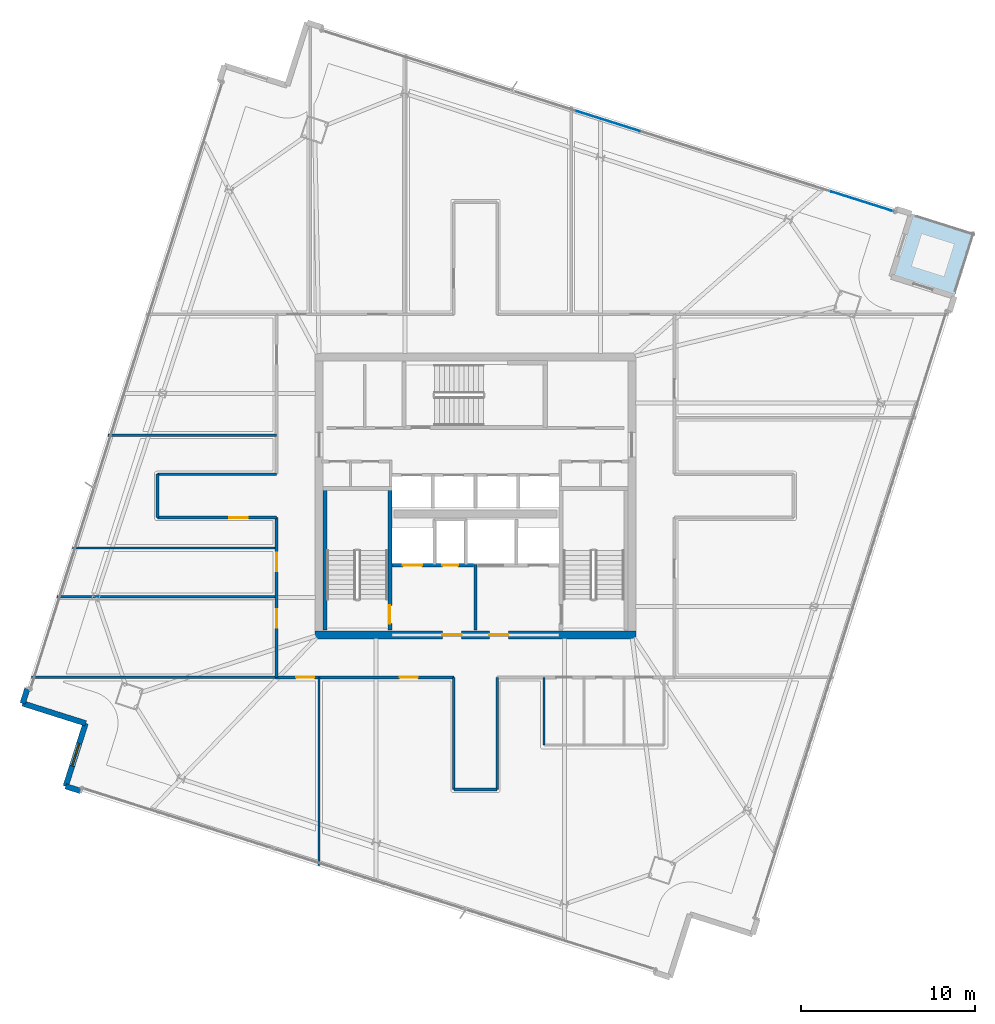
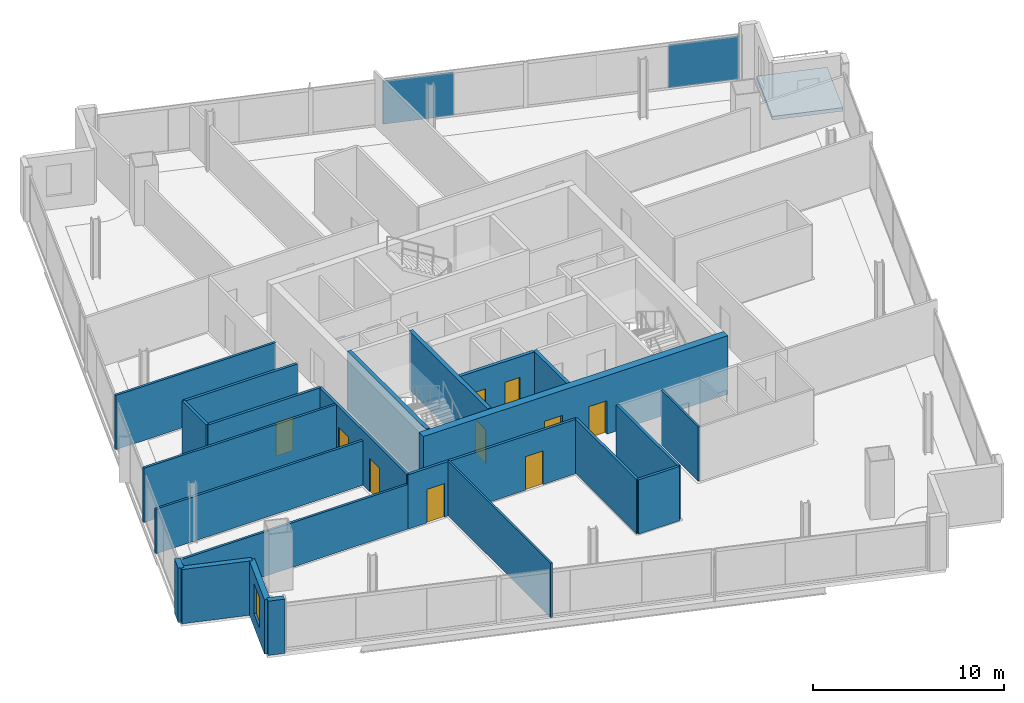
# One storey, part 18 of 26: 23 walls, 10 doors, 2 plates, 1 slab, 1 window, 11 openings, 1 element without a shape of its own.
"""IFC4 building model written with IfcOpenShell, lengths in metres."""

from ifc_helpers import new_model, si_unit, direction, frame, frame_2d, origin, origin_2d, place, context, subcontext, project, spatial, polyline, rectangle, outline, extrude, source, transform, mapped, material, layer, layer_set, type_object, element, fill, aggregate, save


model = new_model("IFC4")

# Units and contexts
model_context = context("Model", 3, precision=1e-05, world=origin(), true_north=direction((0.0, 1.0)))
body_context = subcontext(model_context, "Body", "Model", "MODEL_VIEW")
ifc_project = project(units=[si_unit("LENGTHUNIT", "METRE"), si_unit("AREAUNIT", "SQUARE_METRE"), si_unit("VOLUMEUNIT", "CUBIC_METRE"), si_unit("PLANEANGLEUNIT", "RADIAN"), si_unit("MASSUNIT", "GRAM", prefix="KILO")], contexts=[model_context])

# Site, building, storey
site_placement = place(None, origin())
site = spatial("IfcSite", under=ifc_project, at=site_placement, CompositionType="ELEMENT")
building_placement = place(site_placement, origin())
building = spatial("IfcBuilding", under=site, at=building_placement, Name="Haldenkirk Collegiate Tower", CompositionType="ELEMENT")
storey_placement = place(building_placement, frame((0.0, 0.0, 271.199951171875)))
storey = spatial("IfcBuildingStorey", under=building, at=storey_placement, Name="L68", CompositionType="ELEMENT", Elevation=271.199951171875)

# Slab
ifc_material_1 = material(Name="Concrete f'c 40 MPa", Category="concrete")
ifc_layer_1 = layer(ifc_material_1, 0.22998046875)
ifc_layer_set_1 = layer_set([ifc_layer_1], Name="Concrete f'c 40 MPa")
slab_type = type_object("IfcSlabType", Name="SLB-TERR-SPIRAL-230", PredefinedType="FLOOR", material=ifc_layer_set_1)
slab_placement = place(storey_placement, frame((0.0, 0.0, -0.22998046875)))
element("IfcSlab", 1, at=slab_placement, inside=storey, type_object=slab_type, Name="L68 spiralling corner terrace slab", PredefinedType="FLOOR", context=body_context, shape_type="SweptSolid", body=[
    extrude(outline(polyline([(63.567138671875, 37.471435546875), (64.712890625, 41.094482421875), (61.08984375, 42.240478515625), (59.944091796875, 38.6171875), (63.567138671875, 37.471435546875)])), origin(), (0.0, 0.0, 1.0), 0.22998046875),
])

# Curtain wall, plates
ifc_material_2 = material(Name="Anodised architectural bronze aluminium", Category="aluminium")
curtain_wall_type = type_object("IfcCurtainWallType", Name="CW-SYS1B-CONVEX-HI", PredefinedType="USERDEFINED", material=ifc_material_2)
curtain_wall_placement = place(storey_placement, origin())
curtain_wall = element("IfcCurtainWall", 2, at=curtain_wall_placement, inside=storey, type_object=curtain_wall_type, Name="L68 Upper tower high-wind convex bronze unitised curtain wall", ObjectType="UNITISED CURTAIN WALL", PredefinedType="USERDEFINED")
ifc_material_3 = material(Name="Low-E argon triple insulating glass", Category="glass")
ifc_layer_2 = layer(ifc_material_3, 0.048095703125)
ifc_layer_set_2 = layer_set([ifc_layer_2], Name="Low-E argon triple insulating glass")
plate_type = type_object("IfcPlateType", Name="CW-PNL-1B", PredefinedType="CURTAIN_PANEL", material=ifc_layer_set_2)
shared_shape_1 = source(origin(), body_context, "Body", "SweptSolid", [
    extrude(rectangle(XDim=3.7978515625, YDim=0.048095703125, at=origin_2d()), origin(), (0.0, 0.0, 1.0), 2.76806640625),
])
plate_1_placement = place(storey_placement, frame((58.285888671875, 42.9384765625, 0.0849609375), z_axis=(0.0, 0.0, 1.0), x_axis=(0.95345434936, -0.301537400144, 0.0)))
plate_1 = element("IfcPlate", 3, at=plate_1_placement, type_object=plate_type, Name="CW-1B panel 3.1c", PredefinedType="CURTAIN_PANEL", context=body_context, shape_type="MappedRepresentation", body=[
    mapped(shared_shape_1, transform((0.0, 0.0, 0.0), x_axis=(1.0, 0.0, 0.0), y_axis=(0.0, 1.0, 0.0), z_axis=(0.0, 0.0, 1.0), scale=1.0)),
])
shared_shape_2 = source(origin(), body_context, "Body", "SweptSolid", [
    extrude(rectangle(XDim=3.79931640625, YDim=0.048095703125, at=origin_2d()), origin(), (0.0, 0.0, 1.0), 2.76806640625),
])
plate_2_placement = place(storey_placement, frame((43.64697265625, 47.568115234375, 0.0849609375), z_axis=(0.0, 0.0, 1.0), x_axis=(0.95345434936, -0.301537400144, 0.0)))
plate_2 = element("IfcPlate", 4, at=plate_2_placement, type_object=plate_type, Name="CW-1B panel 2.1b", PredefinedType="CURTAIN_PANEL", context=body_context, shape_type="MappedRepresentation", body=[
    mapped(shared_shape_2, transform((0.0, 0.0, 0.0), x_axis=(1.0, 0.0, 0.0), y_axis=(0.0, 1.0, 0.0), z_axis=(0.0, 0.0, 1.0), scale=1.0)),
])
aggregate(curtain_wall, [plate_2, plate_1])

# Wall, openings, doors
ifc_material_4 = material(Name="Concrete f'c 55 MPa", Category="concrete")
ifc_layer_3 = layer(ifc_material_4, 0.449951171875)
ifc_layer_set_3 = layer_set([ifc_layer_3], Name="Concrete f'c 55 MPa")
wall_type_1 = type_object("IfcWallType", Name="WL-CORE-450", PredefinedType="SHEAR", material=ifc_layer_set_3)
wall_1_placement = place(storey_placement, frame((26.77490234375, 18.0, 0.0), z_axis=(0.0, 0.0, 1.0), x_axis=(1.0, 0.0, 0.0)))
wall_1 = element("IfcWall", 5, at=wall_1_placement, inside=storey, type_object=wall_type_1, Name="L68 central core shear wall S", PredefinedType="SHEAR", context=body_context, shape_type="SweptSolid", body=[
    extrude(rectangle(XDim=18.4501953125, YDim=0.449951171875, at=frame_2d((9.22509765625, 0.0))), origin(), (0.0, 0.0, 1.0), 3.75),
])
opening_1_placement = place(wall_1_placement, frame((7.324951171875, 0.0, 0.0)))
opening_1 = element("IfcOpeningElement", 6, at=opening_1_placement, cuts=wall_1, Name="Opening D-02", PredefinedType="OPENING", context=body_context, shape_type="SweptSolid", body=[
    extrude(rectangle(XDim=1.10009765625, YDim=2.14990234375, at=frame_2d((0.550048828125, 1.074951171875))), frame((0.0, 0.23486328125, 0.0), z_axis=(0.0, -1.0, 0.0), x_axis=(1.0, 0.0, 0.0)), (0.0, 0.0, 1.0), 0.469970703125),
])
opening_2_placement = place(wall_1_placement, frame((10.02490234375, 0.0, 0.0)))
opening_2 = element("IfcOpeningElement", 7, at=opening_2_placement, cuts=wall_1, Name="Opening D-02", PredefinedType="OPENING", context=body_context, shape_type="SweptSolid", body=[
    extrude(rectangle(XDim=1.10009765625, YDim=2.14990234375, at=frame_2d((0.550048828125, 1.074951171875))), frame((0.0, 0.23486328125, 0.0), z_axis=(0.0, -1.0, 0.0), x_axis=(1.0, 0.0, 0.0)), (0.0, 0.0, 1.0), 0.469970703125),
])
ifc_material_5 = material(Name="Galvanized fire-rated hollow steel door", Category="steel")
ifc_layer_4 = layer(ifc_material_5, 0.06005859375)
ifc_layer_set_4 = layer_set([ifc_layer_4], Name="Galvanized fire-rated hollow steel door")
door_type_1 = type_object("IfcDoorType", Name="DR-STAIR-FD90-1100", OperationType="NOTDEFINED", PredefinedType="DOOR", material=ifc_layer_set_4)
door_1_placement = place(opening_1_placement, origin())
door_1 = element("IfcDoor", 8, at=door_1_placement, inside=storey, type_object=door_type_1, Name="L68 Firefighting Lobby 1 door", OperationType="SINGLE_SWING_LEFT", OverallHeight=2.14990234375, OverallWidth=1.10009765625, PredefinedType="DOOR", context=body_context, shape_type="SweptSolid", body=[
    extrude(rectangle(XDim=1.10009765625, YDim=2.14990234375, at=frame_2d((0.550048828125, 1.074951171875))), frame((0.0, 0.02490234375, 0.0), z_axis=(0.0, -1.0, 0.0), x_axis=(1.0, 0.0, 0.0)), (0.0, 0.0, 1.0), 0.050048828125),
])
fill(opening_1, door_1)
door_2_placement = place(opening_2_placement, origin())
door_2 = element("IfcDoor", 9, at=door_2_placement, inside=storey, type_object=door_type_1, Name="L68 Firefighting Lobby 2 door", OperationType="SINGLE_SWING_RIGHT", OverallHeight=2.14990234375, OverallWidth=1.10009765625, PredefinedType="DOOR", context=body_context, shape_type="SweptSolid", body=[
    extrude(rectangle(XDim=1.10009765625, YDim=2.14990234375, at=frame_2d((0.550048828125, 1.074951171875))), frame((0.0, 0.02490234375, 0.0), z_axis=(0.0, -1.0, 0.0), x_axis=(1.0, 0.0, 0.0)), (0.0, 0.0, 1.0), 0.050048828125),
])
fill(opening_2, door_2)

# Walls
ifc_material_6 = material(Name="Precast concrete f'c 40 MPa", Category="concrete")
ifc_layer_5 = layer(ifc_material_6, 0.320068359375)
ifc_layer_set_5 = layer_set([ifc_layer_5], Name="Precast concrete f'c 40 MPa")
wall_type_2 = type_object("IfcWallType", Name="WL-EXT-TWR-320", PredefinedType="STANDARD", material=ifc_layer_set_5)
wall_2_placement = place(storey_placement, frame((9.9345703125, 14.0537109375, 0.0), z_axis=(0.0, 0.0, 1.0), x_axis=(0.301378026662, 0.95350473782, 0.0)))
element("IfcWall", 10, at=wall_2_placement, inside=storey, type_object=wall_type_2, Name="L68 precast corner pier NL", PredefinedType="STANDARD", context=body_context, shape_type="SweptSolid", body=[
    extrude(rectangle(XDim=0.89990234375, YDim=0.320068359375, at=frame_2d((0.449951171875, 0.0))), origin(), (0.0, 0.0, 1.0), 3.47998046875),
])
wall_3_placement = place(storey_placement, frame((13.5576171875, 12.90771484375, 0.0), z_axis=(0.0, 0.0, 1.0), x_axis=(-0.953440793023, 0.301580261621, 0.0)))
element("IfcWall", 11, at=wall_3_placement, inside=storey, type_object=wall_type_2, Name="L68 bronze precast notch wall 08", PredefinedType="STANDARD", context=body_context, shape_type="SweptSolid", body=[
    extrude(rectangle(XDim=3.800048828125, YDim=0.320068359375, at=frame_2d((1.89990234375, 0.0))), origin(), (0.0, 0.0, 1.0), 3.47998046875),
])

# Wall, opening, window
wall_4_placement = place(storey_placement, frame((12.411865234375, 9.28466796875, 0.0), z_axis=(0.0, 0.0, 1.0), x_axis=(0.301521855292, 0.953459265402, 0.0)))
wall_4 = element("IfcWall", 12, at=wall_4_placement, inside=storey, type_object=wall_type_2, Name="L68 bronze precast notch wall 09", PredefinedType="STANDARD", context=body_context, shape_type="SweptSolid", body=[
    extrude(rectangle(XDim=3.7998046875, YDim=0.320068359375, at=frame_2d((1.89990234375, 0.0))), origin(), (0.0, 0.0, 1.0), 3.47998046875),
])
opening_3_placement = place(wall_4_placement, frame((1.22509765625, 0.0, 0.85009765625)))
opening_3 = element("IfcOpeningElement", 13, at=opening_3_placement, cuts=wall_4, Name="Opening W-07", PredefinedType="OPENING", context=body_context, shape_type="SweptSolid", body=[
    extrude(rectangle(XDim=1.35009765625, YDim=1.949951171875, at=frame_2d((0.675048828125, 0.97509765625))), frame((0.0, 0.169921875, 0.0), z_axis=(0.0, -1.0, 0.0), x_axis=(1.0, 0.0, 0.0)), (0.0, 0.0, 1.0), 0.340087890625),
])
ifc_layer_6 = layer(ifc_material_3, 0.090087890625)
ifc_layer_set_6 = layer_set([ifc_layer_6], Name="Low-E argon triple insulating glass")
window_type = type_object("IfcWindowType", Name="WN-Z5-1350X1950", PartitioningType="SINGLE_PANEL", PredefinedType="WINDOW", material=ifc_layer_set_6)
window_placement = place(opening_3_placement, origin())
window = element("IfcWindow", 14, at=window_placement, inside=storey, type_object=window_type, Name="L68 precast-frame academic window 8", OverallHeight=1.949951171875, OverallWidth=1.35009765625, PartitioningType="SINGLE_PANEL", PredefinedType="WINDOW", context=body_context, shape_type="SweptSolid", body=[
    extrude(rectangle(XDim=1.35009765625, YDim=1.949951171875, at=frame_2d((0.675048828125, 0.97509765625))), frame((0.0, 0.030029296875, 0.0), z_axis=(0.0, -1.0, 0.0), x_axis=(1.0, 0.0, 0.0)), (0.0, 0.0, 1.0), 0.06005859375),
])
fill(opening_3, window)

# Wall
wall_5_placement = place(storey_placement, frame((13.27001953125, 9.01318359375, 0.0), z_axis=(0.0, 0.0, 1.0), x_axis=(-0.95342675946, 0.301624624899, 0.0)))
element("IfcWall", 15, at=wall_5_placement, inside=storey, type_object=wall_type_2, Name="L68 precast corner pier WR", PredefinedType="STANDARD", context=body_context, shape_type="SweptSolid", body=[
    extrude(rectangle(XDim=0.900146484375, YDim=0.320068359375, at=frame_2d((0.4501953125, 0.0))), origin(), (0.0, 0.0, 1.0), 3.47998046875),
])

# Wall, openings, doors
ifc_material_7 = material(Name="Acoustic fire-rated gypsum partition", Category="concrete")
ifc_layer_7 = layer(ifc_material_7, 0.159912109375)
ifc_layer_set_7 = layer_set([ifc_layer_7], Name="Acoustic fire-rated gypsum partition")
wall_type_3 = type_object("IfcWallType", Name="WL-INT-CORR-160", PredefinedType="PARTITIONING", material=ifc_layer_set_7)
wall_6_placement = place(storey_placement, frame((24.5, 15.550048828125, 0.0), z_axis=(0.0, 0.0, 1.0), x_axis=(1.0, 0.0, 0.0)))
wall_6 = element("IfcWall", 16, at=wall_6_placement, inside=storey, type_object=wall_type_3, Name="L68 interior partition IW-L68-CS1", PredefinedType="PARTITIONING", context=body_context, shape_type="SweptSolid", body=[
    extrude(rectangle(XDim=10.25, YDim=0.159912109375, at=frame_2d((5.125, 0.0))), origin(), (0.0, 0.0, 1.0), 3.47998046875),
])
opening_4_placement = place(wall_6_placement, frame((1.169921875, 0.0, 0.0)))
opening_4 = element("IfcOpeningElement", 17, at=opening_4_placement, cuts=wall_6, Name="Opening D-09", PredefinedType="OPENING", context=body_context, shape_type="SweptSolid", body=[
    extrude(rectangle(XDim=1.050048828125, YDim=2.14990234375, at=frame_2d((0.52490234375, 1.074951171875))), frame((0.0, 0.08984375, 0.0), z_axis=(0.0, -1.0, 0.0), x_axis=(1.0, 0.0, 0.0)), (0.0, 0.0, 1.0), 0.179931640625),
])
opening_5_placement = place(wall_6_placement, frame((7.138916015625, 0.0, 0.0)))
opening_5 = element("IfcOpeningElement", 18, at=opening_5_placement, cuts=wall_6, Name="Opening D-09", PredefinedType="OPENING", context=body_context, shape_type="SweptSolid", body=[
    extrude(rectangle(XDim=1.050048828125, YDim=2.14990234375, at=frame_2d((0.52490234375, 1.074951171875))), frame((0.0, 0.08984375, 0.0), z_axis=(0.0, -1.0, 0.0), x_axis=(1.0, 0.0, 0.0)), (0.0, 0.0, 1.0), 0.179931640625),
])
ifc_material_8 = material(Name="Solid-core architectural oak fire door", Category="wood")
ifc_layer_8 = layer(ifc_material_8, 0.06005859375)
ifc_layer_set_8 = layer_set([ifc_layer_8], Name="Solid-core architectural oak fire door")
door_type_2 = type_object("IfcDoorType", Name="DR-INT-FD60-1050", OperationType="NOTDEFINED", PredefinedType="DOOR", material=ifc_layer_set_8)
door_3_placement = place(opening_4_placement, origin())
door_3 = element("IfcDoor", 19, at=door_3_placement, inside=storey, type_object=door_type_2, Name="L68 Special Collections Archive 1 door", OperationType="SINGLE_SWING_LEFT", OverallHeight=2.14990234375, OverallWidth=1.050048828125, PredefinedType="DOOR", context=body_context, shape_type="SweptSolid", body=[
    extrude(rectangle(XDim=1.050048828125, YDim=2.14990234375, at=frame_2d((0.52490234375, 1.074951171875))), frame((0.0, 0.02490234375, 0.0), z_axis=(0.0, -1.0, 0.0), x_axis=(1.0, 0.0, 0.0)), (0.0, 0.0, 1.0), 0.050048828125),
])
fill(opening_4, door_3)
door_4_placement = place(opening_5_placement, origin())
door_4 = element("IfcDoor", 20, at=door_4_placement, inside=storey, type_object=door_type_2, Name="L68 Rare Folio Vault 2 door", OperationType="SINGLE_SWING_RIGHT", OverallHeight=2.14990234375, OverallWidth=1.050048828125, PredefinedType="DOOR", context=body_context, shape_type="SweptSolid", body=[
    extrude(rectangle(XDim=1.050048828125, YDim=2.14990234375, at=frame_2d((0.52490234375, 1.074951171875))), frame((0.0, 0.02490234375, 0.0), z_axis=(0.0, -1.0, 0.0), x_axis=(1.0, 0.0, 0.0)), (0.0, 0.0, 1.0), 0.050048828125),
])
fill(opening_5, door_4)

wall_7_placement = place(storey_placement, frame((24.550048828125, 15.550048828125, 0.0), z_axis=(0.0, 0.0, 1.0), x_axis=(0.0, 1.0, 0.0)))
wall_7 = element("IfcWall", 21, at=wall_7_placement, inside=storey, type_object=wall_type_3, Name="L68 interior partition IW-L68-CW1", PredefinedType="PARTITIONING", context=body_context, shape_type="SweptSolid", body=[
    extrude(rectangle(XDim=9.199951171875, YDim=0.159912109375, at=frame_2d((4.60009765625, 0.0))), origin(), (0.0, 0.0, 1.0), 3.47998046875),
])
opening_6_placement = place(wall_7_placement, frame((2.863037109375, 0.0, 0.0)))
opening_6 = element("IfcOpeningElement", 22, at=opening_6_placement, cuts=wall_7, Name="Opening D-09", PredefinedType="OPENING", context=body_context, shape_type="SweptSolid", body=[
    extrude(rectangle(XDim=1.050048828125, YDim=2.14990234375, at=frame_2d((0.52490234375, 1.074951171875))), frame((0.0, 0.08984375, 0.0), z_axis=(0.0, -1.0, 0.0), x_axis=(1.0, 0.0, 0.0)), (0.0, 0.0, 1.0), 0.179931640625),
])
opening_7_placement = place(wall_7_placement, frame((6.1201171875, 0.0, 0.0)))
opening_7 = element("IfcOpeningElement", 23, at=opening_7_placement, cuts=wall_7, Name="Opening D-09", PredefinedType="OPENING", context=body_context, shape_type="SweptSolid", body=[
    extrude(rectangle(XDim=1.050048828125, YDim=2.14990234375, at=frame_2d((0.52490234375, 1.074951171875))), frame((0.0, 0.08984375, 0.0), z_axis=(0.0, -1.0, 0.0), x_axis=(1.0, 0.0, 0.0)), (0.0, 0.0, 1.0), 0.179931640625),
])
door_5_placement = place(opening_6_placement, origin())
door_5 = element("IfcDoor", 24, at=door_5_placement, inside=storey, type_object=door_type_2, Name="L68 Special Collections Archive 7 door", OperationType="SINGLE_SWING_LEFT", OverallHeight=2.14990234375, OverallWidth=1.050048828125, PredefinedType="DOOR", context=body_context, shape_type="SweptSolid", body=[
    extrude(rectangle(XDim=1.050048828125, YDim=2.14990234375, at=frame_2d((0.52490234375, 1.074951171875))), frame((0.0, 0.02490234375, 0.0), z_axis=(0.0, -1.0, 0.0), x_axis=(1.0, 0.0, 0.0)), (0.0, 0.0, 1.0), 0.050048828125),
])
fill(opening_6, door_5)
door_6_placement = place(opening_7_placement, origin())
door_6 = element("IfcDoor", 25, at=door_6_placement, inside=storey, type_object=door_type_2, Name="L68 Rare Folio Vault 8 door", OperationType="SINGLE_SWING_RIGHT", OverallHeight=2.14990234375, OverallWidth=1.050048828125, PredefinedType="DOOR", context=body_context, shape_type="SweptSolid", body=[
    extrude(rectangle(XDim=1.050048828125, YDim=2.14990234375, at=frame_2d((0.52490234375, 1.074951171875))), frame((0.0, 0.02490234375, 0.0), z_axis=(0.0, -1.0, 0.0), x_axis=(1.0, 0.0, 0.0)), (0.0, 0.0, 1.0), 0.050048828125),
])
fill(opening_7, door_6)

# Walls
for number, where, z_axis, x_axis, name in (
    (26, (34.75, 9.10009765625, 0.0), (0.0, 0.0, 1.0), (0.0, 1.0, 0.0), "L68 interior partition IW-L68-SPW"),
    (27, (37.25, 9.10009765625, 0.0), (0.0, 0.0, 1.0), (0.0, 1.0, 0.0), "L68 interior partition IW-L68-SPE"),
):
    element("IfcWall", number, at=place(storey_placement, frame(where, z_axis=z_axis, x_axis=x_axis)), inside=storey, type_object=wall_type_3, Name=name, PredefinedType="PARTITIONING", context=body_context, shape_type="SweptSolid", body=[
        extrude(rectangle(XDim=6.449951171875, YDim=0.159912109375, at=frame_2d((3.22509765625, 0.0))), origin(), (0.0, 0.0, 1.0), 3.47998046875),
    ])
wall_8_placement = place(storey_placement, frame((34.75, 9.10009765625, 0.0), z_axis=(0.0, 0.0, 1.0), x_axis=(1.0, 0.0, 0.0)))
element("IfcWall", 28, at=wall_8_placement, inside=storey, type_object=wall_type_3, Name="L68 interior partition IW-L68-SPS", PredefinedType="PARTITIONING", context=body_context, shape_type="SweptSolid", body=[
    extrude(rectangle(XDim=2.5, YDim=0.159912109375, at=frame_2d((1.25, 0.0))), origin(), (0.0, 0.0, 1.0), 3.47998046875),
])

# Wall, opening, door
wall_9_placement = place(storey_placement, frame((17.699951171875, 24.75, 0.0), z_axis=(0.0, 0.0, 1.0), x_axis=(1.0, 0.0, 0.0)))
wall_9 = element("IfcWall", 29, at=wall_9_placement, inside=storey, type_object=wall_type_3, Name="L68 interior partition IW-L68-WPS", PredefinedType="PARTITIONING", context=body_context, shape_type="SweptSolid", body=[
    extrude(rectangle(XDim=6.85009765625, YDim=0.159912109375, at=frame_2d((3.425048828125, 0.0))), origin(), (0.0, 0.0, 1.0), 3.47998046875),
])
opening_8_placement = place(wall_9_placement, frame((4.133056640625, 0.0, 0.0)))
opening_8 = element("IfcOpeningElement", 30, at=opening_8_placement, cuts=wall_9, Name="Opening D-09", PredefinedType="OPENING", context=body_context, shape_type="SweptSolid", body=[
    extrude(rectangle(XDim=1.050048828125, YDim=2.14990234375, at=frame_2d((0.52490234375, 1.074951171875))), frame((0.0, 0.08984375, 0.0), z_axis=(0.0, -1.0, 0.0), x_axis=(1.0, 0.0, 0.0)), (0.0, 0.0, 1.0), 0.179931640625),
])
door_7_placement = place(opening_8_placement, origin())
door_7 = element("IfcDoor", 31, at=door_7_placement, inside=storey, type_object=door_type_2, Name="L68 Instrument Store Room 9 door", OperationType="SINGLE_SWING_LEFT", OverallHeight=2.14990234375, OverallWidth=1.050048828125, PredefinedType="DOOR", context=body_context, shape_type="SweptSolid", body=[
    extrude(rectangle(XDim=1.050048828125, YDim=2.14990234375, at=frame_2d((0.52490234375, 1.074951171875))), frame((0.0, 0.02490234375, 0.0), z_axis=(0.0, -1.0, 0.0), x_axis=(1.0, 0.0, 0.0)), (0.0, 0.0, 1.0), 0.050048828125),
])
fill(opening_8, door_7)

# Walls
wall_10_placement = place(storey_placement, frame((17.699951171875, 27.25, 0.0), z_axis=(0.0, 0.0, 1.0), x_axis=(1.0, 0.0, 0.0)))
element("IfcWall", 32, at=wall_10_placement, inside=storey, type_object=wall_type_3, Name="L68 interior partition IW-L68-WPN", PredefinedType="PARTITIONING", context=body_context, shape_type="SweptSolid", body=[
    extrude(rectangle(XDim=6.85009765625, YDim=0.159912109375, at=frame_2d((3.425048828125, 0.0))), origin(), (0.0, 0.0, 1.0), 3.47998046875),
])
wall_11_placement = place(storey_placement, frame((17.699951171875, 24.75, 0.0), z_axis=(0.0, 0.0, 1.0), x_axis=(0.0, 1.0, 0.0)))
element("IfcWall", 33, at=wall_11_placement, inside=storey, type_object=wall_type_3, Name="L68 interior partition IW-L68-WPW", PredefinedType="PARTITIONING", context=body_context, shape_type="SweptSolid", body=[
    extrude(rectangle(XDim=2.5, YDim=0.159912109375, at=frame_2d((1.25, 0.0))), origin(), (0.0, 0.0, 1.0), 3.47998046875),
])
ifc_layer_9 = layer(ifc_material_7, 0.139892578125)
ifc_layer_set_9 = layer_set([ifc_layer_9], Name="Acoustic fire-rated gypsum partition")
wall_type_4 = type_object("IfcWallType", Name="WL-INT-DIV-140", PredefinedType="PARTITIONING", material=ifc_layer_set_9)
wall_12_placement = place(storey_placement, frame((10.44970703125, 15.550048828125, 0.0), z_axis=(0.0, 0.0, 1.0), x_axis=(1.0, 0.0, 0.0)))
element("IfcWall", 34, at=wall_12_placement, inside=storey, type_object=wall_type_4, Name="L68 interior partition IW-L68-BWS", PredefinedType="PARTITIONING", context=body_context, shape_type="SweptSolid", body=[
    extrude(rectangle(XDim=14.100341796875, YDim=0.139892578125, at=frame_2d((7.05029296875, 0.0))), origin(), (0.0, 0.0, 1.0), 2.858154296875),
])
wall_13_placement = place(storey_placement, frame((11.92041015625, 20.199951171875, 0.0), z_axis=(0.0, 0.0, 1.0), x_axis=(1.0, 0.0, 0.0)))
element("IfcWall", 35, at=wall_13_placement, inside=storey, type_object=wall_type_4, Name="L68 interior partition IW-L68-RW1", PredefinedType="PARTITIONING", context=body_context, shape_type="SweptSolid", body=[
    extrude(rectangle(XDim=12.629638671875, YDim=0.139892578125, at=frame_2d((6.31494140625, 0.0))), origin(), (0.0, 0.0, 1.0), 2.858154296875),
])
wall_14_placement = place(storey_placement, frame((12.805908203125, 23.0, 0.0), z_axis=(0.0, 0.0, 1.0), x_axis=(1.0, 0.0, 0.0)))
element("IfcWall", 36, at=wall_14_placement, inside=storey, type_object=wall_type_4, Name="L68 interior partition IW-L68-RW2", PredefinedType="PARTITIONING", context=body_context, shape_type="SweptSolid", body=[
    extrude(rectangle(XDim=11.744140625, YDim=0.139892578125, at=frame_2d((5.8720703125, 0.0))), origin(), (0.0, 0.0, 1.0), 3.47998046875),
])
wall_15_placement = place(storey_placement, frame((14.861572265625, 29.5, 0.0), z_axis=(0.0, 0.0, 1.0), x_axis=(1.0, 0.0, 0.0)))
element("IfcWall", 37, at=wall_15_placement, inside=storey, type_object=wall_type_4, Name="L68 interior partition IW-L68-RW3", PredefinedType="PARTITIONING", context=body_context, shape_type="SweptSolid", body=[
    extrude(rectangle(XDim=9.6884765625, YDim=0.139892578125, at=frame_2d((4.84423828125, 0.0))), origin(), (0.0, 0.0, 1.0), 3.47998046875),
])
ifc_material_9 = material(Name="Fire-rated gypsum shaftboard assembly", Category="concrete")
ifc_layer_10 = layer(ifc_material_9, 0.199951171875)
ifc_layer_set_10 = layer_set([ifc_layer_10], Name="Fire-rated gypsum shaftboard assembly")
wall_type_5 = type_object("IfcWallType", Name="WL-INT-SHAFT-200", PredefinedType="PARTITIONING", material=ifc_layer_set_10)
wall_16_placement = place(storey_placement, frame((36.0, 18.280029296875, 0.0), z_axis=(0.0, 0.0, 1.0), x_axis=(0.0, 1.0, 0.0)))
element("IfcWall", 38, at=wall_16_placement, inside=storey, type_object=wall_type_5, Name="L68 interior partition IW-L68-FFLM", PredefinedType="PARTITIONING", context=body_context, shape_type="SweptSolid", body=[
    extrude(rectangle(XDim=3.77001953125, YDim=0.199951171875, at=frame_2d((1.885009765625, 0.0))), origin(), (0.0, 0.0, 1.0), 3.47998046875),
])

# Wall, openings, doors
wall_17_placement = place(storey_placement, frame((31.18994140625, 22.0, 0.0), z_axis=(0.0, 0.0, 1.0), x_axis=(1.0, 0.0, 0.0)))
wall_17 = element("IfcWall", 39, at=wall_17_placement, inside=storey, type_object=wall_type_5, Name="L68 interior partition IW-L68-FFL1N", PredefinedType="PARTITIONING", context=body_context, shape_type="SweptSolid", body=[
    extrude(rectangle(XDim=4.68994140625, YDim=0.199951171875, at=frame_2d((2.344970703125, 0.0))), origin(), (0.0, 0.0, 1.0), 3.47998046875),
])
opening_9_placement = place(wall_17_placement, frame((2.909912109375, 0.0, 0.0)))
opening_9 = element("IfcOpeningElement", 40, at=opening_9_placement, cuts=wall_17, Name="Opening D-06", PredefinedType="OPENING", context=body_context, shape_type="SweptSolid", body=[
    extrude(rectangle(XDim=0.89990234375, YDim=2.14990234375, at=frame_2d((0.449951171875, 1.074951171875))), frame((0.0, 0.10986328125, 0.0), z_axis=(0.0, -1.0, 0.0), x_axis=(1.0, 0.0, 0.0)), (0.0, 0.0, 1.0), 0.219970703125),
])
opening_10_placement = place(wall_17_placement, frame((0.635009765625, 0.0, 0.0)))
opening_10 = element("IfcOpeningElement", 41, at=opening_10_placement, cuts=wall_17, Name="Opening LD-12", PredefinedType="OPENING", context=body_context, shape_type="SweptSolid", body=[
    extrude(rectangle(XDim=1.10009765625, YDim=2.14990234375, at=frame_2d((0.550048828125, 1.074951171875))), frame((0.0, 0.10986328125, 0.0), z_axis=(0.0, -1.0, 0.0), x_axis=(1.0, 0.0, 0.0)), (0.0, 0.0, 1.0), 0.219970703125),
])
ifc_layer_11 = layer(ifc_material_5, 0.06005859375)
ifc_layer_set_11 = layer_set([ifc_layer_11], Name="Galvanized fire-rated hollow steel door")
door_type_3 = type_object("IfcDoorType", Name="DR-INT-FD90-900", OperationType="NOTDEFINED", PredefinedType="DOOR", material=ifc_layer_set_11)
door_8_placement = place(opening_9_placement, origin())
door_8 = element("IfcDoor", 42, at=door_8_placement, inside=storey, type_object=door_type_3, Name="L68 electrical riser door", OperationType="SINGLE_SWING_LEFT", OverallHeight=2.14990234375, OverallWidth=0.89990234375, PredefinedType="DOOR", context=body_context, shape_type="SweptSolid", body=[
    extrude(rectangle(XDim=0.89990234375, YDim=2.14990234375, at=frame_2d((0.449951171875, 1.074951171875))), frame((0.0, 0.02490234375, 0.0), z_axis=(0.0, -1.0, 0.0), x_axis=(1.0, 0.0, 0.0)), (0.0, 0.0, 1.0), 0.050048828125),
])
fill(opening_9, door_8)
ifc_material_10 = material(Name="Brushed architectural stainless steel", Category="steel")
ifc_layer_12 = layer(ifc_material_10, 0.06005859375)
ifc_layer_set_12 = layer_set([ifc_layer_12], Name="Brushed architectural stainless steel")
door_type_4 = type_object("IfcDoorType", Name="LD-FIRE-1100", OperationType="NOTDEFINED", PredefinedType="DOOR", material=ifc_layer_set_12)
door_9_placement = place(opening_10_placement, origin())
door_9 = element("IfcDoor", 43, at=door_9_placement, inside=storey, type_object=door_type_4, Name="L68 Elevator FL1 sliding landing door", OperationType="SLIDING_TO_LEFT", OverallHeight=2.14990234375, OverallWidth=1.10009765625, PredefinedType="DOOR", context=body_context, shape_type="SweptSolid", body=[
    extrude(rectangle(XDim=1.10009765625, YDim=2.14990234375, at=frame_2d((0.550048828125, 1.074951171875))), frame((0.0, 0.02490234375, 0.0), z_axis=(0.0, -1.0, 0.0), x_axis=(1.0, 0.0, 0.0)), (0.0, 0.0, 1.0), 0.050048828125),
])
fill(opening_10, door_9)

# Walls
ifc_layer_13 = layer(ifc_material_7, 0.1201171875)
ifc_layer_set_13 = layer_set([ifc_layer_13], Name="Acoustic fire-rated gypsum partition")
wall_type_6 = type_object("IfcWallType", Name="WL-INT-WET-120", PredefinedType="PARTITIONING", material=ifc_layer_set_13)
wall_18_placement = place(storey_placement, frame((39.949951171875, 11.64990234375, 0.0), z_axis=(0.0, 0.0, 1.0), x_axis=(0.0, 1.0, 0.0)))
element("IfcWall", 44, at=wall_18_placement, inside=storey, type_object=wall_type_6, Name="L68 interior partition IW-L68-WCW", PredefinedType="PARTITIONING", context=body_context, shape_type="SweptSolid", body=[
    extrude(rectangle(XDim=3.900146484375, YDim=0.1201171875, at=frame_2d((1.9501953125, 0.0))), origin(), (0.0, 0.0, 1.0), 3.47998046875),
])
wall_19_placement = place(storey_placement, frame((27.0, 4.712890625, 0.0), z_axis=(0.0, 0.0, 1.0), x_axis=(0.0, 1.0, 0.0)))
element("IfcWall", 45, at=wall_19_placement, inside=storey, type_object=wall_type_6, Name="L68 interior partition IW-L68-RS1", PredefinedType="PARTITIONING", context=body_context, shape_type="SweptSolid", body=[
    extrude(rectangle(XDim=10.837158203125, YDim=0.1201171875, at=frame_2d((5.41845703125, 0.0))), origin(), (0.0, 0.0, 1.0), 3.47998046875),
])

# Wall, opening, door
ifc_layer_14 = layer(ifc_material_4, 0.239990234375)
ifc_layer_set_14 = layer_set([ifc_layer_14], Name="Concrete f'c 55 MPa")
wall_type_7 = type_object("IfcWallType", Name="WL-SHAFT-240", PredefinedType="SHEAR", material=ifc_layer_set_14)
wall_20_placement = place(storey_placement, frame((31.070068359375, 18.280029296875, 0.0), z_axis=(0.0, 0.0, 1.0), x_axis=(0.0, 1.0, 0.0)))
wall_20 = element("IfcWall", 46, at=wall_20_placement, inside=storey, type_object=wall_type_7, Name="L68 stair shaft shear wall SW-L68-ST1E", PredefinedType="SHEAR", context=body_context, shape_type="SweptSolid", body=[
    extrude(rectangle(XDim=8.260009765625, YDim=0.239990234375, at=frame_2d((4.1298828125, 0.0))), origin(), (0.0, 0.0, 1.0), 3.75),
])
opening_11_placement = place(wall_20_placement, frame((0.364990234375, 0.0, 0.0)))
opening_11 = element("IfcOpeningElement", 47, at=opening_11_placement, cuts=wall_20, Name="Opening D-01", PredefinedType="OPENING", context=body_context, shape_type="SweptSolid", body=[
    extrude(rectangle(XDim=1.050048828125, YDim=2.14990234375, at=frame_2d((0.52490234375, 1.074951171875))), frame((0.0, 0.1298828125, 0.0), z_axis=(0.0, -1.0, 0.0), x_axis=(1.0, 0.0, 0.0)), (0.0, 0.0, 1.0), 0.260009765625),
])
ifc_layer_15 = layer(ifc_material_5, 0.06005859375)
ifc_layer_set_15 = layer_set([ifc_layer_15], Name="Galvanized fire-rated hollow steel door")
door_type_5 = type_object("IfcDoorType", Name="DR-STAIR-FD90-1050", OperationType="NOTDEFINED", PredefinedType="DOOR", material=ifc_layer_set_15)
door_10_placement = place(opening_11_placement, origin())
door_10 = element("IfcDoor", 48, at=door_10_placement, inside=storey, type_object=door_type_5, Name="L68 Stair 1 door", OperationType="SINGLE_SWING_LEFT", OverallHeight=2.14990234375, OverallWidth=1.050048828125, PredefinedType="DOOR", context=body_context, shape_type="SweptSolid", body=[
    extrude(rectangle(XDim=1.050048828125, YDim=2.14990234375, at=frame_2d((0.52490234375, 1.074951171875))), frame((0.0, 0.02490234375, 0.0), z_axis=(0.0, -1.0, 0.0), x_axis=(1.0, 0.0, 0.0)), (0.0, 0.0, 1.0), 0.050048828125),
])
fill(opening_11, door_10)

# Wall
wall_21_placement = place(storey_placement, frame((27.330078125, 18.280029296875, 0.0), z_axis=(0.0, 0.0, 1.0), x_axis=(0.0, 1.0, 0.0)))
element("IfcWall", 49, at=wall_21_placement, inside=storey, type_object=wall_type_7, Name="L68 stair shaft shear wall SW-L68-ST1W", PredefinedType="SHEAR", context=body_context, shape_type="SweptSolid", body=[
    extrude(rectangle(XDim=8.260009765625, YDim=0.239990234375, at=frame_2d((4.1298828125, 0.0))), origin(), (0.0, 0.0, 1.0), 3.75),
])

save(model, "model.ifc")
